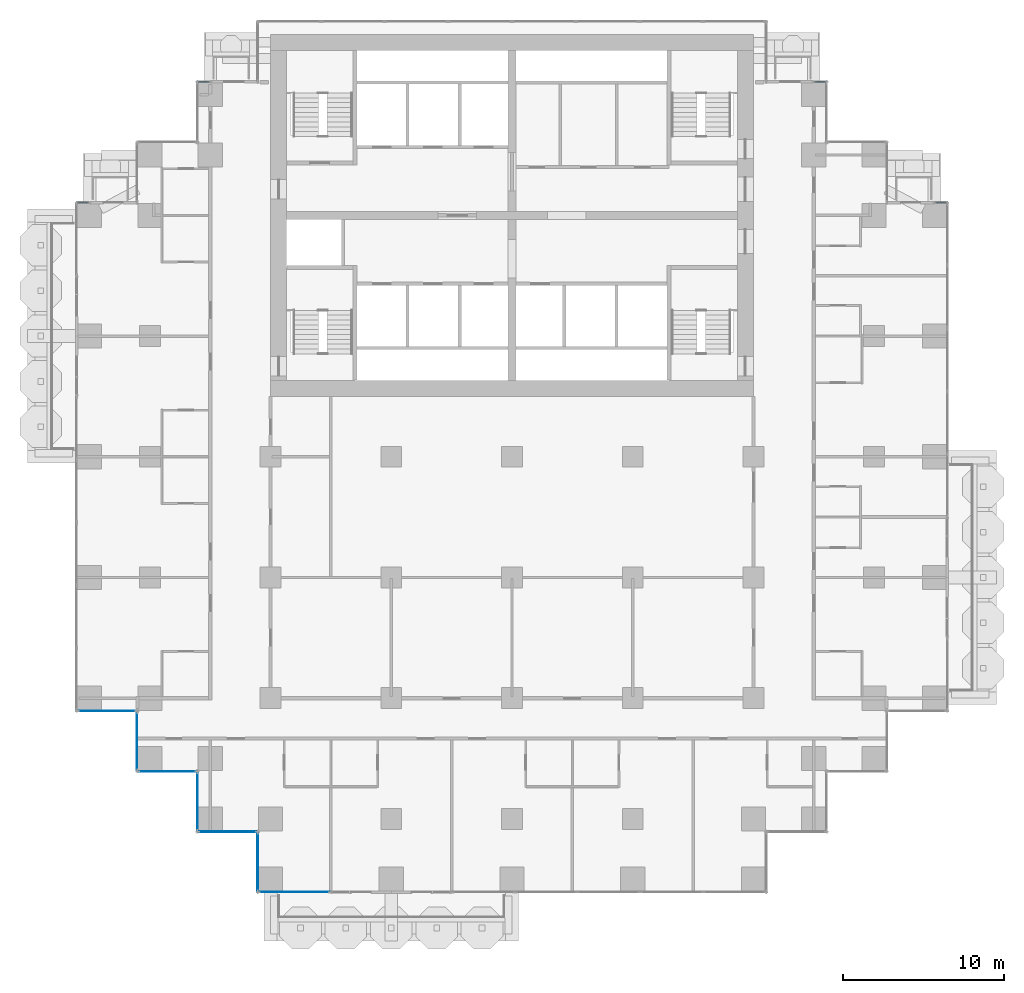
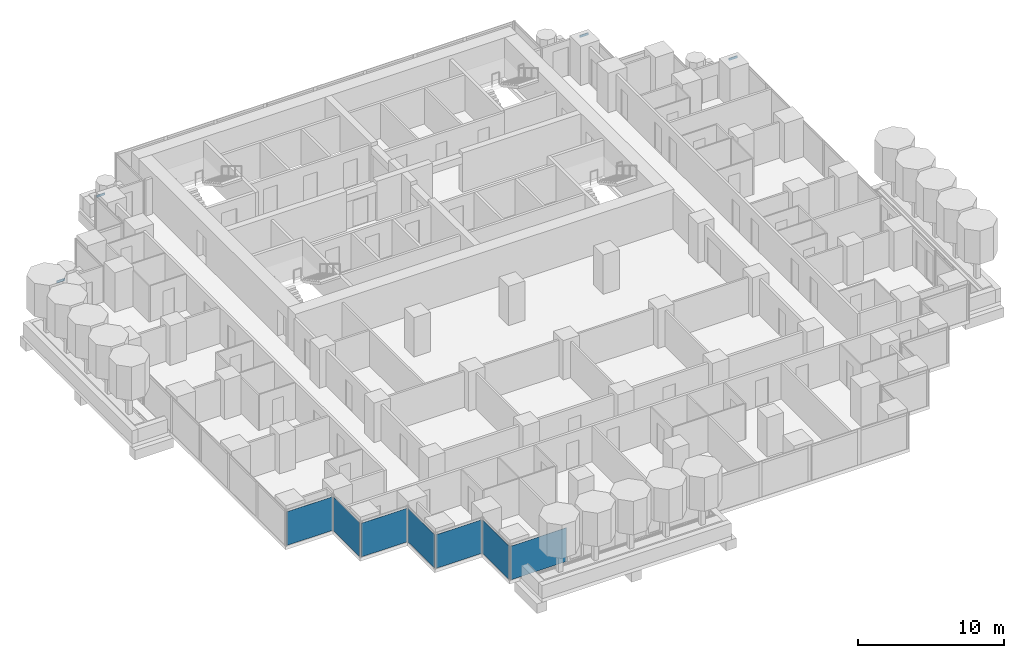
# One storey, part 7 of 18: 7 plates, 4 members, 11 elements without a shape of their own.
"""IFC4 building model written with IfcOpenShell, lengths in metres."""

from ifc_helpers import new_model, si_unit, direction, frame, origin, origin_2d, place, context, subcontext, project, spatial, rectangle, extrude, material, layer, layer_set, material_profile, profile_set, type_object, element, aggregate, save


model = new_model("IFC4")

# Units and contexts
model_context = context("Model", 3, precision=1e-05, world=origin(), true_north=direction((0.0, 1.0)))
body_context = subcontext(model_context, "Body", "Model", "MODEL_VIEW")
ifc_project = project(units=[si_unit("LENGTHUNIT", "METRE"), si_unit("AREAUNIT", "SQUARE_METRE"), si_unit("VOLUMEUNIT", "CUBIC_METRE"), si_unit("PLANEANGLEUNIT", "RADIAN"), si_unit("MASSUNIT", "GRAM", prefix="KILO")], contexts=[model_context])

# Site, building, storey
site_placement = place(None, origin())
site = spatial("IfcSite", under=ifc_project, at=site_placement, CompositionType="ELEMENT")
building_placement = place(site_placement, origin())
building = spatial("IfcBuilding", under=site, at=building_placement, Name="Pilkhan Gate Tower", CompositionType="ELEMENT")
storey_placement = place(building_placement, frame((0.0, 0.0, 56.0)))
storey = spatial("IfcBuildingStorey", under=building, at=storey_placement, Name="L11", CompositionType="ELEMENT", Elevation=56.0)

# Curtain wall, member
ifc_material_1 = material(Name="Pale anodised aluminium, clear low-iron double glazing", Category="aluminium")
curtain_wall_type = type_object("IfcCurtainWallType", Name="Hotel unitised curtain wall CW-H", PredefinedType="USERDEFINED", material=ifc_material_1)
curtain_wall_1_placement = place(storey_placement, origin())
curtain_wall_1 = element("IfcCurtainWall", 1, at=curtain_wall_1_placement, inside=storey, type_object=curtain_wall_type, Name="Hotel unitised curtain wall CW-H L11 N", ObjectType="UNITISED CURTAIN WALL", PredefinedType="USERDEFINED")
ifc_material_2 = material(Name="Pale anodised aluminium", Category="aluminium")
ifc_material_profile = material_profile(ifc_material_2, rectangle(XDim=0.06494140625, YDim=0.179931640625, at=origin_2d()), Name="Transom 180x65")
ifc_profile_set = profile_set([ifc_material_profile], Name="Pale anodised aluminium")
member_type = type_object("IfcMemberType", Name="Transom CW-H 180x65", PredefinedType="USERDEFINED", material=ifc_profile_set)
member_1_placement = place(storey_placement, frame((101.31494140625, 83.294921875, 2.909912109375), z_axis=(1.0, 0.0, 0.0), x_axis=(0.0, 1.0, 0.0)))
member_1 = element("IfcMember", 2, at=member_1_placement, type_object=member_type, Name="CW-H transom 1", ObjectType="TRANSOM", PredefinedType="USERDEFINED", context=body_context, shape_type="SweptSolid", body=[
    extrude(rectangle(XDim=0.06494140625, YDim=0.179931640625, at=origin_2d()), origin(), (0.0, 0.0, 1.0), 0.6650390625),
])
aggregate(curtain_wall_1, [member_1])

curtain_wall_2_placement = place(storey_placement, origin())
curtain_wall_2 = element("IfcCurtainWall", 3, at=curtain_wall_2_placement, inside=storey, type_object=curtain_wall_type, Name="Hotel unitised curtain wall CW-H L11 N", ObjectType="UNITISED CURTAIN WALL", PredefinedType="USERDEFINED")
member_2_placement = place(storey_placement, frame((93.81494140625, 90.794921875, 2.909912109375), z_axis=(1.0, 0.0, 0.0), x_axis=(0.0, 1.0, 0.0)))
member_2 = element("IfcMember", 4, at=member_2_placement, type_object=member_type, Name="CW-H transom 1", ObjectType="TRANSOM", PredefinedType="USERDEFINED", context=body_context, shape_type="SweptSolid", body=[
    extrude(rectangle(XDim=0.06494140625, YDim=0.179931640625, at=origin_2d()), origin(), (0.0, 0.0, 1.0), 0.6650390625),
])
aggregate(curtain_wall_2, [member_2])

curtain_wall_3_placement = place(storey_placement, origin())
curtain_wall_3 = element("IfcCurtainWall", 5, at=curtain_wall_3_placement, inside=storey, type_object=curtain_wall_type, Name="Hotel unitised curtain wall CW-H L11 N", ObjectType="UNITISED CURTAIN WALL", PredefinedType="USERDEFINED")
member_3_placement = place(storey_placement, frame((55.52001953125, 90.794921875, 2.909912109375), z_axis=(1.0, 0.0, 0.0), x_axis=(0.0, 1.0, 0.0)))
member_3 = element("IfcMember", 6, at=member_3_placement, type_object=member_type, Name="CW-H transom 1", ObjectType="TRANSOM", PredefinedType="USERDEFINED", context=body_context, shape_type="SweptSolid", body=[
    extrude(rectangle(XDim=0.06494140625, YDim=0.179931640625, at=origin_2d()), origin(), (0.0, 0.0, 1.0), 0.6650390625),
])
aggregate(curtain_wall_3, [member_3])

curtain_wall_4_placement = place(storey_placement, origin())
curtain_wall_4 = element("IfcCurtainWall", 7, at=curtain_wall_4_placement, inside=storey, type_object=curtain_wall_type, Name="Hotel unitised curtain wall CW-H L11 N", ObjectType="UNITISED CURTAIN WALL", PredefinedType="USERDEFINED")
member_4_placement = place(storey_placement, frame((48.02001953125, 83.294921875, 2.909912109375), z_axis=(1.0, 0.0, 0.0), x_axis=(0.0, 1.0, 0.0)))
member_4 = element("IfcMember", 8, at=member_4_placement, type_object=member_type, Name="CW-H transom 1", ObjectType="TRANSOM", PredefinedType="USERDEFINED", context=body_context, shape_type="SweptSolid", body=[
    extrude(rectangle(XDim=0.06494140625, YDim=0.179931640625, at=origin_2d()), origin(), (0.0, 0.0, 1.0), 0.6650390625),
])
aggregate(curtain_wall_4, [member_4])

# Curtain wall, plate
curtain_wall_5_placement = place(storey_placement, origin())
curtain_wall_5 = element("IfcCurtainWall", 9, at=curtain_wall_5_placement, inside=storey, type_object=curtain_wall_type, Name="Hotel unitised curtain wall CW-H L11 S", ObjectType="UNITISED CURTAIN WALL", PredefinedType="USERDEFINED")
ifc_material_3 = material(Name="Clear low-iron double glazing", Category="glass")
ifc_layer = layer(ifc_material_3, 0.035888671875)
ifc_layer_set = layer_set([ifc_layer], Name="Glass panel CW-H 36")
plate_type = type_object("IfcPlateType", Name="Glass panel CW-H 36", PredefinedType="CURTAIN_PANEL", material=ifc_layer_set)
plate_1_placement = place(storey_placement, frame((49.830078125, 51.705078125, 0.0), z_axis=(0.0, 0.0, 1.0), x_axis=(1.0, 0.0, 0.0)))
plate_1 = element("IfcPlate", 10, at=plate_1_placement, type_object=plate_type, Name="CW-H panel 1", PredefinedType="CURTAIN_PANEL", context=body_context, shape_type="SweptSolid", body=[
    extrude(rectangle(XDim=3.6201171875, YDim=0.035888671875, at=origin_2d()), origin(), (0.0, 0.0, 1.0), 2.820068359375),
])
aggregate(curtain_wall_5, [plate_1])

curtain_wall_6_placement = place(storey_placement, origin())
curtain_wall_6 = element("IfcCurtainWall", 11, at=curtain_wall_6_placement, inside=storey, type_object=curtain_wall_type, Name="Hotel unitised curtain wall CW-H L11 W", ObjectType="UNITISED CURTAIN WALL", PredefinedType="USERDEFINED")
plate_2_placement = place(storey_placement, frame((51.705078125, 49.830078125, 0.0), z_axis=(0.0, 0.0, 1.0), x_axis=(0.0, 1.0, 0.0)))
plate_2 = element("IfcPlate", 12, at=plate_2_placement, type_object=plate_type, Name="CW-H panel 1", PredefinedType="CURTAIN_PANEL", context=body_context, shape_type="SweptSolid", body=[
    extrude(rectangle(XDim=3.6201171875, YDim=0.035888671875, at=origin_2d()), origin(), (0.0, 0.0, 1.0), 2.820068359375),
])
aggregate(curtain_wall_6, [plate_2])

curtain_wall_7_placement = place(storey_placement, origin())
curtain_wall_7 = element("IfcCurtainWall", 13, at=curtain_wall_7_placement, inside=storey, type_object=curtain_wall_type, Name="Hotel unitised curtain wall CW-H L11 S", ObjectType="UNITISED CURTAIN WALL", PredefinedType="USERDEFINED")
plate_3_placement = place(storey_placement, frame((53.580078125, 47.955078125, 0.0), z_axis=(0.0, 0.0, 1.0), x_axis=(1.0, 0.0, 0.0)))
plate_3 = element("IfcPlate", 14, at=plate_3_placement, type_object=plate_type, Name="CW-H panel 1", PredefinedType="CURTAIN_PANEL", context=body_context, shape_type="SweptSolid", body=[
    extrude(rectangle(XDim=3.6201171875, YDim=0.035888671875, at=origin_2d()), origin(), (0.0, 0.0, 1.0), 2.820068359375),
])
aggregate(curtain_wall_7, [plate_3])

curtain_wall_8_placement = place(storey_placement, origin())
curtain_wall_8 = element("IfcCurtainWall", 15, at=curtain_wall_8_placement, inside=storey, type_object=curtain_wall_type, Name="Hotel unitised curtain wall CW-H L11 W", ObjectType="UNITISED CURTAIN WALL", PredefinedType="USERDEFINED")
plate_4_placement = place(storey_placement, frame((55.455078125, 46.080078125, 0.0), z_axis=(0.0, 0.0, 1.0), x_axis=(0.0, 1.0, 0.0)))
plate_4 = element("IfcPlate", 16, at=plate_4_placement, type_object=plate_type, Name="CW-H panel 1", PredefinedType="CURTAIN_PANEL", context=body_context, shape_type="SweptSolid", body=[
    extrude(rectangle(XDim=3.6201171875, YDim=0.035888671875, at=origin_2d()), origin(), (0.0, 0.0, 1.0), 2.820068359375),
])
aggregate(curtain_wall_8, [plate_4])

curtain_wall_9_placement = place(storey_placement, origin())
curtain_wall_9 = element("IfcCurtainWall", 17, at=curtain_wall_9_placement, inside=storey, type_object=curtain_wall_type, Name="Hotel unitised curtain wall CW-H L11 S", ObjectType="UNITISED CURTAIN WALL", PredefinedType="USERDEFINED")
plate_5_placement = place(storey_placement, frame((57.330078125, 44.205078125, 0.0), z_axis=(0.0, 0.0, 1.0), x_axis=(1.0, 0.0, 0.0)))
plate_5 = element("IfcPlate", 18, at=plate_5_placement, type_object=plate_type, Name="CW-H panel 1", PredefinedType="CURTAIN_PANEL", context=body_context, shape_type="SweptSolid", body=[
    extrude(rectangle(XDim=3.6201171875, YDim=0.035888671875, at=origin_2d()), origin(), (0.0, 0.0, 1.0), 2.820068359375),
])
aggregate(curtain_wall_9, [plate_5])

curtain_wall_10_placement = place(storey_placement, origin())
curtain_wall_10 = element("IfcCurtainWall", 19, at=curtain_wall_10_placement, inside=storey, type_object=curtain_wall_type, Name="Hotel unitised curtain wall CW-H L11 W", ObjectType="UNITISED CURTAIN WALL", PredefinedType="USERDEFINED")
plate_6_placement = place(storey_placement, frame((59.205078125, 42.330078125, 0.0), z_axis=(0.0, 0.0, 1.0), x_axis=(0.0, 1.0, 0.0)))
plate_6 = element("IfcPlate", 20, at=plate_6_placement, type_object=plate_type, Name="CW-H panel 1", PredefinedType="CURTAIN_PANEL", context=body_context, shape_type="SweptSolid", body=[
    extrude(rectangle(XDim=3.6201171875, YDim=0.035888671875, at=origin_2d()), origin(), (0.0, 0.0, 1.0), 2.820068359375),
])
aggregate(curtain_wall_10, [plate_6])

curtain_wall_11_placement = place(storey_placement, origin())
curtain_wall_11 = element("IfcCurtainWall", 21, at=curtain_wall_11_placement, inside=storey, type_object=curtain_wall_type, Name="Hotel unitised curtain wall CW-H L11 S", ObjectType="UNITISED CURTAIN WALL", PredefinedType="USERDEFINED")
plate_7_placement = place(storey_placement, frame((61.4775390625, 40.455078125, 0.0), z_axis=(0.0, 0.0, 1.0), x_axis=(1.0, 0.0, 0.0)))
plate_7 = element("IfcPlate", 22, at=plate_7_placement, type_object=plate_type, Name="CW-H panel 1", PredefinedType="CURTAIN_PANEL", context=body_context, shape_type="SweptSolid", body=[
    extrude(rectangle(XDim=4.4150390625, YDim=0.035888671875, at=origin_2d()), origin(), (0.0, 0.0, 1.0), 2.820068359375),
])
aggregate(curtain_wall_11, [plate_7])

save(model, "model.ifc")
